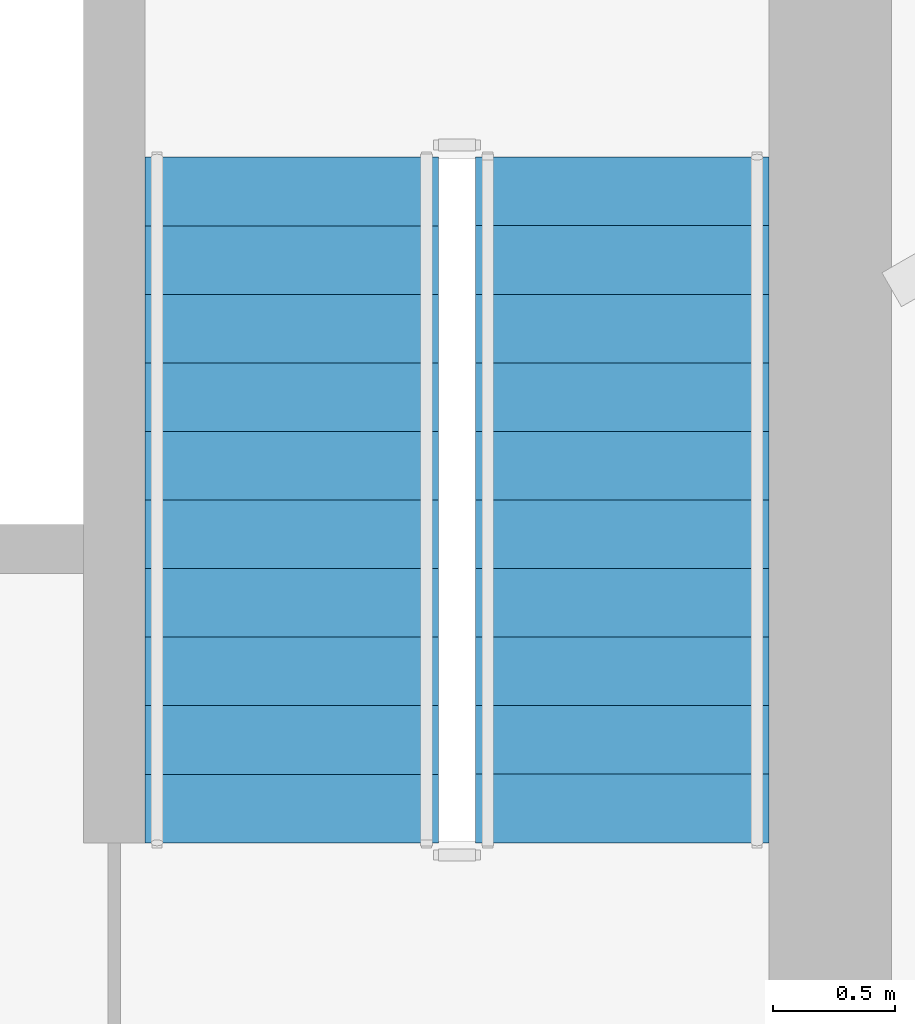
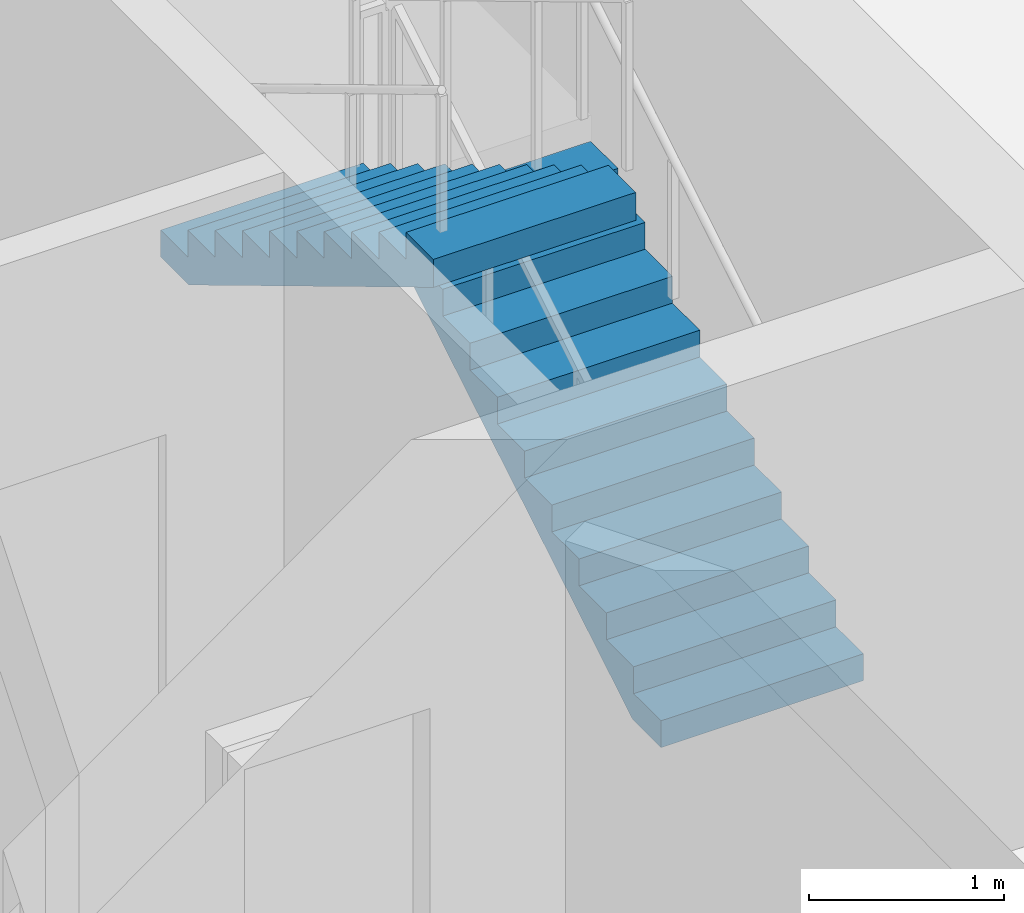
# One storey, part 8 of 14: 2 stair flights, 1 element without a shape of its own.
"""IFC4 building model written with IfcOpenShell, lengths in metres."""

from ifc_helpers import new_model, si_unit, direction, frame, origin, place, context, subcontext, project, spatial, polyline, outline, extrude, material, type_object, element, aggregate, save


model = new_model("IFC4")

# Units and contexts
model_context = context("Model", 3, precision=1e-05, world=origin(), true_north=direction((0.0, 1.0)))
body_context = subcontext(model_context, "Body", "Model", "MODEL_VIEW")
ifc_project = project(units=[si_unit("LENGTHUNIT", "METRE"), si_unit("AREAUNIT", "SQUARE_METRE"), si_unit("VOLUMEUNIT", "CUBIC_METRE"), si_unit("PLANEANGLEUNIT", "RADIAN"), si_unit("MASSUNIT", "GRAM", prefix="KILO")], contexts=[model_context])

# Site, building, storey
site_placement = place(None, origin())
site = spatial("IfcSite", under=ifc_project, at=site_placement, CompositionType="ELEMENT")
building_placement = place(site_placement, origin())
building = spatial("IfcBuilding", under=site, at=building_placement, Name="Apuvela Tower Hotel", CompositionType="ELEMENT")
storey_placement = place(building_placement, frame((0.0, 0.0, 109.39990234375)))
storey = spatial("IfcBuildingStorey", under=building, at=storey_placement, Name="L25", CompositionType="ELEMENT", Elevation=109.39990234375)

# Stair, stair flights
ifc_material = material(Name="Concrete C50/60", Category="concrete")
stair_type = type_object("IfcStairType", Name="COR-STAIR-22R", PredefinedType="HALF_TURN_STAIR", material=ifc_material)
stair_placement = place(storey_placement, origin())
stair = element("IfcStair", 1, at=stair_placement, inside=storey, type_object=stair_type, Name="L25 Exit stair ST1", PredefinedType="HALF_TURN_STAIR")
stair_flight_type = type_object("IfcStairFlightType", Name="COR-FLIGHT-11R", PredefinedType="STRAIGHT", material=ifc_material)
stair_flight_1_placement = place(storey_placement, frame((4.39990234375, 14.60009765625, 0.0), z_axis=(0.0, 0.0, 1.0), x_axis=(0.0, 1.0, 0.0)))
stair_flight_1 = element("IfcStairFlight", 2, at=stair_flight_1_placement, type_object=stair_flight_type, Name="ST1 flight 1", NumberOfRisers=11, NumberOfTreads=10, PredefinedType="STRAIGHT", RiserHeight=0.168181818, TreadLength=0.28, context=body_context, shape_type="SweptSolid", body=[
    extrude(outline(polyline([(0.0, 0.0), (0.0, 0.168212890625), (0.280029296875, 0.168212890625), (0.280029296875, 0.33642578125), (0.56005859375, 0.33642578125), (0.56005859375, 0.504638671875), (0.840087890625, 0.504638671875), (0.840087890625, 0.672607421875), (1.1201171875, 0.672607421875), (1.1201171875, 0.8408203125), (1.39990234375, 0.8408203125), (1.39990234375, 1.009033203125), (1.679931640625, 1.009033203125), (1.679931640625, 1.17724609375), (1.9599609375, 1.17724609375), (1.9599609375, 1.345458984375), (2.239990234375, 1.345458984375), (2.239990234375, 1.513671875), (2.52001953125, 1.513671875), (2.52001953125, 1.681884765625), (2.800048828125, 1.681884765625), (2.800048828125, 1.85009765625), (2.800048828125, 1.5068359375), (0.291015625, 0.0), (0.0, 0.0)])), frame((0.0, 0.60009765625, 0.0), z_axis=(0.0, -1.0, 0.0), x_axis=(1.0, 0.0, 0.0)), (0.0, 0.0, 1.0), 1.199951171875),
])
stair_flight_2_placement = place(storey_placement, frame((3.050048828125, 17.39990234375, 1.85009765625), z_axis=(0.0, 0.0, 1.0), x_axis=(0.0, -1.0, 0.0)))
stair_flight_2 = element("IfcStairFlight", 3, at=stair_flight_2_placement, type_object=stair_flight_type, Name="ST1 flight 2", NumberOfRisers=11, NumberOfTreads=10, PredefinedType="STRAIGHT", RiserHeight=0.168181818, TreadLength=0.28, context=body_context, shape_type="SweptSolid", body=[
    extrude(outline(polyline([(0.0, 0.0), (0.0, 0.168212890625), (0.280029296875, 0.168212890625), (0.280029296875, 0.33642578125), (0.56005859375, 0.33642578125), (0.56005859375, 0.504638671875), (0.840087890625, 0.504638671875), (0.840087890625, 0.672607421875), (1.1201171875, 0.672607421875), (1.1201171875, 0.8408203125), (1.39990234375, 0.8408203125), (1.39990234375, 1.009033203125), (1.679931640625, 1.009033203125), (1.679931640625, 1.17724609375), (1.9599609375, 1.17724609375), (1.9599609375, 1.345458984375), (2.239990234375, 1.345458984375), (2.239990234375, 1.513671875), (2.52001953125, 1.513671875), (2.52001953125, 1.681884765625), (2.800048828125, 1.681884765625), (2.800048828125, 1.85009765625), (2.800048828125, 1.5068359375), (0.291015625, 0.0), (0.0, 0.0)])), frame((0.0, 0.60009765625, 0.0), z_axis=(0.0, -1.0, 0.0), x_axis=(1.0, 0.0, 0.0)), (0.0, 0.0, 1.0), 1.199951171875),
])
aggregate(stair, [stair_flight_1, stair_flight_2])

save(model, "model.ifc")
